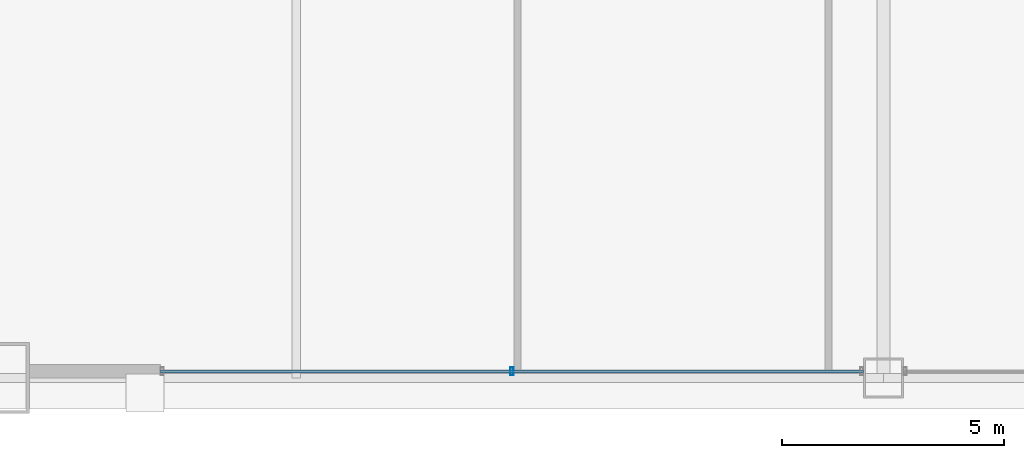
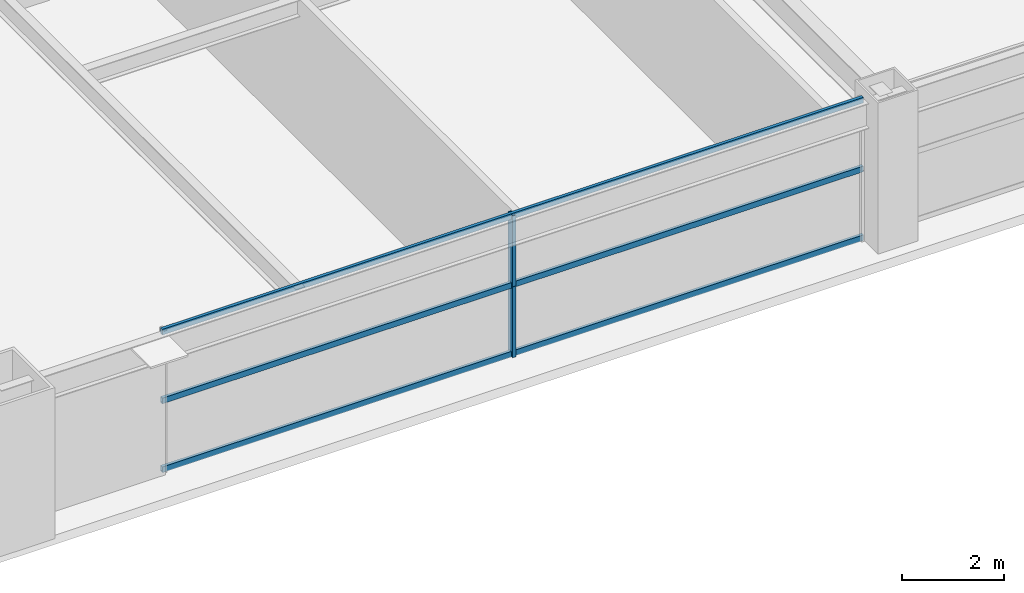
# One storey, part 5 of 38: 5 members, 1 element without a shape of its own.
"""IFC4 building model written with IfcOpenShell, lengths in metres."""

from ifc_helpers import new_model, si_unit, direction, frame, origin, origin_2d, place, context, subcontext, project, spatial, hollow_rectangle, extrude, source, transform, mapped, material, layer, layer_set, material_profile, profile_set, type_object, element, aggregate, save


model = new_model("IFC4")

# Units and contexts
model_context = context("Model", 3, precision=1e-05, world=origin(), true_north=direction((0.0, 1.0)))
body_context = subcontext(model_context, "Body", "Model", "MODEL_VIEW")
ifc_project = project(units=[si_unit("LENGTHUNIT", "METRE"), si_unit("AREAUNIT", "SQUARE_METRE"), si_unit("VOLUMEUNIT", "CUBIC_METRE"), si_unit("PLANEANGLEUNIT", "RADIAN"), si_unit("MASSUNIT", "GRAM", prefix="KILO"), si_unit("THERMODYNAMICTEMPERATUREUNIT", "KELVIN"), si_unit("POWERUNIT", "WATT")], contexts=[model_context])

# Site, building, storey
site_placement = place(None, origin())
site = spatial("IfcSite", under=ifc_project, at=site_placement, CompositionType="ELEMENT")
building_placement = place(site_placement, origin())
building = spatial("IfcBuilding", under=site, at=building_placement, Name="Yuzanri Waterfront Tower", CompositionType="ELEMENT")
storey_placement = place(building_placement, frame((0.0, 0.0, 111.800048828125)))
storey = spatial("IfcBuildingStorey", under=building, at=storey_placement, Name="L29", CompositionType="ELEMENT", Elevation=111.800048828125)

# Curtain wall, members
ifc_material_1 = material(Name="Anodized Architectural Bronze", Category="metal")
ifc_layer = layer(ifc_material_1, 0.159912109375)
ifc_layer_set = layer_set([ifc_layer], Name="Anodized Architectural Bronze")
curtain_wall_type = type_object("IfcCurtainWallType", Name="Anodized Bronze Hotel Upper-Tier Solar-Control Unitized Curtain Wall 7800", PredefinedType="NOTDEFINED", material=ifc_layer_set)
curtain_wall_placement = place(storey_placement, origin())
curtain_wall = element("IfcCurtainWall", 1, at=curtain_wall_placement, inside=storey, type_object=curtain_wall_type, Name="L29 Curtain Wall CW-L29-SL", PredefinedType="NOTDEFINED")
ifc_material_2 = material(Name="Anodized Architectural Bronze", Category="metal")
ifc_material_profile_1 = material_profile(ifc_material_2, hollow_rectangle(XDim=0.070068359375, YDim=0.179931640625, WallThickness=0.00390625, at=origin_2d()), Name="CWM 70x180")
ifc_profile_set_1 = profile_set([ifc_material_profile_1], Name="Anodized Architectural Bronze")
member_type_1 = type_object("IfcMemberType", Name="Anodized Bronze Standard Curtain-Wall Mullion 70x180", PredefinedType="MULLION", material=ifc_profile_set_1)
shared_shape_1 = source(origin(), body_context, "Body", "SweptSolid", [
    extrude(hollow_rectangle(XDim=0.070068359375, YDim=0.179931640625, WallThickness=0.00390625, at=origin_2d()), origin(), (0.0, 0.0, 1.0), 1.68798828125),
])
member_1_placement = place(storey_placement, frame((28.64990234375, 2.35009765625, 0.0), z_axis=(0.0, 0.0, 1.0), x_axis=(1.0, 0.0, 0.0)))
member_1 = element("IfcMember", 2, at=member_1_placement, type_object=member_type_1, Name="CW-L29-SL Lower Mullion 01", PredefinedType="MULLION", context=body_context, shape_type="MappedRepresentation", body=[
    mapped(shared_shape_1, transform((0.0, 0.0, 0.0), scale=1.0)),
])
member_2_placement = place(storey_placement, frame((28.64990234375, 2.35009765625, 1.69189453125), z_axis=(0.0, 0.0, 1.0), x_axis=(1.0, 0.0, 0.0)))
member_2 = element("IfcMember", 3, at=member_2_placement, type_object=member_type_1, Name="CW-L29-SL Upper Mullion 01", PredefinedType="MULLION", context=body_context, shape_type="MappedRepresentation", body=[
    mapped(shared_shape_1, transform((0.0, 0.0, 0.0), scale=1.0)),
])
ifc_material_3 = material(Name="Anodized Architectural Bronze", Category="metal")
ifc_material_profile_2 = material_profile(ifc_material_3, hollow_rectangle(XDim=0.070068359375, YDim=0.135009765625, WallThickness=0.00341796875, at=origin_2d()), Name="CWT 70x135")
ifc_profile_set_2 = profile_set([ifc_material_profile_2], Name="Anodized Architectural Bronze")
member_type_2 = type_object("IfcMemberType", Name="Anodized Bronze Standard Curtain-Wall Transom 70x135", PredefinedType="USERDEFINED", material=ifc_profile_set_2)
shared_shape_2 = source(origin(), body_context, "Body", "SweptSolid", [
    extrude(hollow_rectangle(XDim=0.070068359375, YDim=0.135009765625, WallThickness=0.00341796875, at=origin_2d()), origin(), (0.0, 0.0, 1.0), 15.800048828125),
])
member_3_placement = place(storey_placement, frame((20.75, 2.35009765625, 0.050048828125), z_axis=(1.0, 0.0, 0.0), x_axis=(0.0, 1.0, 0.0)))
member_3 = element("IfcMember", 4, at=member_3_placement, type_object=member_type_2, Name="CW-L29-SL Transom 1", ObjectType="TRANSOM", PredefinedType="USERDEFINED", context=body_context, shape_type="MappedRepresentation", body=[
    mapped(shared_shape_2, transform((0.0, 0.0, 0.0), scale=1.0)),
])
member_4_placement = place(storey_placement, frame((20.75, 2.35009765625, 1.68994140625), z_axis=(1.0, 0.0, 0.0), x_axis=(0.0, 1.0, 0.0)))
member_4 = element("IfcMember", 5, at=member_4_placement, type_object=member_type_2, Name="CW-L29-SL Transom 2", ObjectType="TRANSOM", PredefinedType="USERDEFINED", context=body_context, shape_type="MappedRepresentation", body=[
    mapped(shared_shape_2, transform((0.0, 0.0, 0.0), scale=1.0)),
])
member_5_placement = place(storey_placement, frame((20.75, 2.35009765625, 3.329833984375), z_axis=(1.0, 0.0, 0.0), x_axis=(0.0, 1.0, 0.0)))
member_5 = element("IfcMember", 6, at=member_5_placement, type_object=member_type_2, Name="CW-L29-SL Transom 3", ObjectType="TRANSOM", PredefinedType="USERDEFINED", context=body_context, shape_type="MappedRepresentation", body=[
    mapped(shared_shape_2, transform((0.0, 0.0, 0.0), scale=1.0)),
])
aggregate(curtain_wall, [member_1, member_2, member_3, member_4, member_5])

save(model, "model.ifc")
